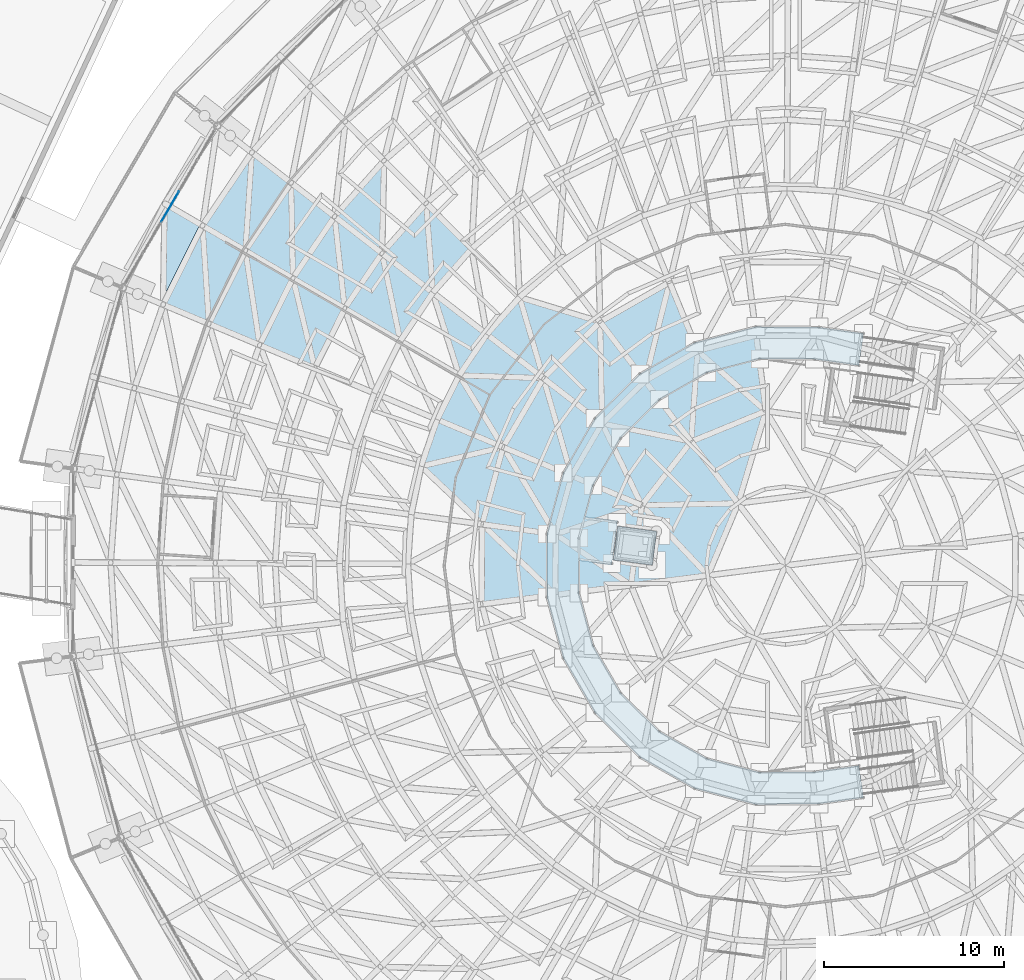
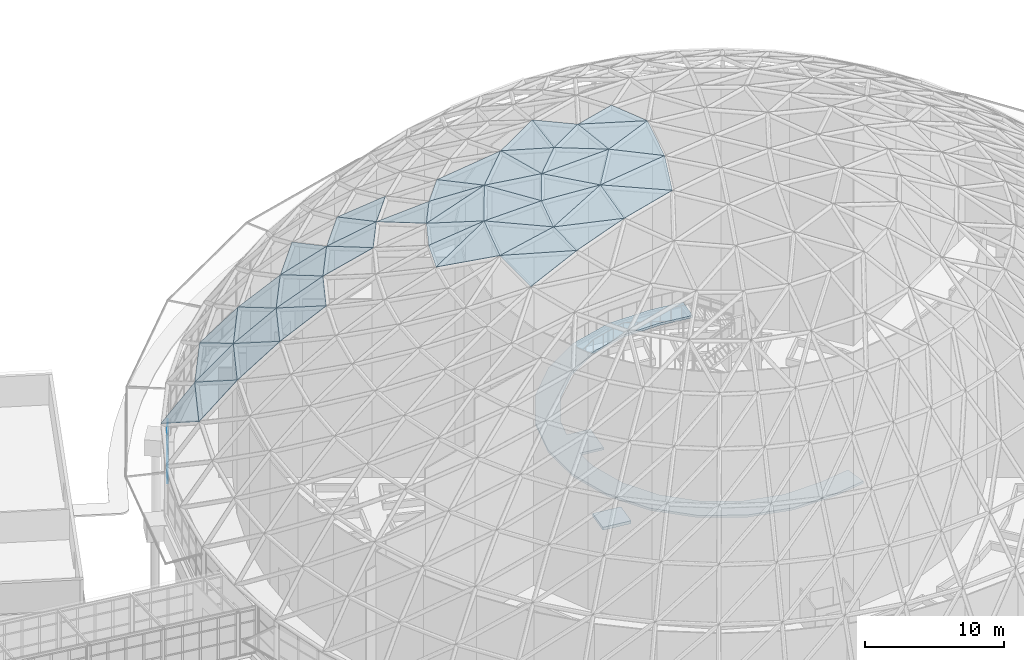
# One storey, part 140 of 226: 52 plates, 2 slabs, 1 element without a shape of its own.
"""IFC4 building model written with IfcOpenShell, lengths in metres."""

from ifc_helpers import new_model, si_unit, direction, frame, origin, origin_2d, place, context, subcontext, project, spatial, polyline, rectangle, outline, extrude, material, layer, layer_set, type_object, element, aggregate, save


model = new_model("IFC4")

# Units and contexts
model_context = context("Model", 3, precision=1e-05, world=origin(), true_north=direction((0.0, 1.0)))
body_context = subcontext(model_context, "Body", "Model", "MODEL_VIEW")
ifc_project = project(units=[si_unit("LENGTHUNIT", "METRE"), si_unit("AREAUNIT", "SQUARE_METRE"), si_unit("VOLUMEUNIT", "CUBIC_METRE"), si_unit("PLANEANGLEUNIT", "RADIAN"), si_unit("MASSUNIT", "GRAM", prefix="KILO")], contexts=[model_context])

# Site, building, storey
site_placement = place(None, origin())
site = spatial("IfcSite", under=ifc_project, at=site_placement, CompositionType="ELEMENT")
building_placement = place(site_placement, origin())
building = spatial("IfcBuilding", under=site, at=building_placement, Name="Ceibo Conservatory and Research Tower", CompositionType="ELEMENT")
storey_placement = place(building_placement, origin())
storey = spatial("IfcBuildingStorey", under=building, at=storey_placement, Name="L00", CompositionType="ELEMENT", Elevation=0.0)

# Curtain wall, plates
ifc_material_1 = material(Name="Aluminium and glass", Category="aluminium")
curtain_wall_type = type_object("IfcCurtainWallType", Name="Drum curtain wall", PredefinedType="NOTDEFINED", material=ifc_material_1)
curtain_wall_placement = place(storey_placement, origin())
curtain_wall = element("IfcCurtainWall", 1, at=curtain_wall_placement, inside=storey, type_object=curtain_wall_type, Name="Drum curtain wall A-CW10", PredefinedType="NOTDEFINED")
ifc_material_2 = material(Name="Laminated glass", Category="glass")
ifc_layer_1 = layer(ifc_material_2, 0.028076171875)
ifc_layer_set_1 = layer_set([ifc_layer_1], Name="Laminated glass")
plate_type_1 = type_object("IfcPlateType", Name="Drum glass 28", PredefinedType="CURTAIN_PANEL", material=ifc_layer_set_1)
plate_1_placement = place(storey_placement, frame((121.7421875, 127.978515625, 0.06005859375), z_axis=(0.0, 0.0, 1.0), x_axis=(-0.503773971965, -0.863835508167, 0.0)))
plate_1 = element("IfcPlate", 2, at=plate_1_placement, type_object=plate_type_1, Name="A-CW10 panel 3.1", PredefinedType="CURTAIN_PANEL", context=body_context, shape_type="SweptSolid", body=[
    extrude(rectangle(XDim=1.947021484375, YDim=0.028076171875, at=origin_2d()), origin(), (0.0, 0.0, 1.0), 1.43994140625),
])
plate_2_placement = place(storey_placement, frame((121.7421875, 127.978515625, 1.56005859375), z_axis=(0.0, 0.0, 1.0), x_axis=(-0.503773971965, -0.863835508167, 0.0)))
plate_2 = element("IfcPlate", 3, at=plate_2_placement, type_object=plate_type_1, Name="A-CW10 panel 3.2", PredefinedType="CURTAIN_PANEL", context=body_context, shape_type="SweptSolid", body=[
    extrude(rectangle(XDim=1.947021484375, YDim=0.028076171875, at=origin_2d()), origin(), (0.0, 0.0, 1.0), 1.425048828125),
])
plate_3_placement = place(storey_placement, frame((121.7421875, 127.978515625, 3.044921875), z_axis=(0.0, 0.0, 1.0), x_axis=(-0.503773971965, -0.863835508167, 0.0)))
plate_3 = element("IfcPlate", 4, at=plate_3_placement, type_object=plate_type_1, Name="A-CW10 panel 3.3", PredefinedType="CURTAIN_PANEL", context=body_context, shape_type="SweptSolid", body=[
    extrude(rectangle(XDim=1.947021484375, YDim=0.028076171875, at=origin_2d()), origin(), (0.0, 0.0, 1.0), 1.233154296875),
])
aggregate(curtain_wall, [plate_1, plate_2, plate_3])

# Plates
ifc_layer_2 = layer(ifc_material_2, 0.035888671875)
ifc_layer_set_2 = layer_set([ifc_layer_2], Name="Laminated glass")
plate_type_2 = type_object("IfcPlateType", Name="Gridshell roof glass 36", PredefinedType="SHEET", material=ifc_layer_set_2)
plate_4_placement = place(storey_placement, frame((121.30224609375, 128.2353515625, 4.601806640625), z_axis=(-0.742846401321, 0.370334705795, 0.557701918347), x_axis=(-0.013307511619, -0.841063821774, 0.540772186635)))
element("IfcPlate", 5, at=plate_4_placement, inside=storey, type_object=plate_type_2, Name="Glass panel A-P01-040", PredefinedType="SHEET", context=body_context, shape_type="SweptSolid", body=[
    extrude(outline(polyline([(0.0, 0.0), (6.714663966392372, 4.440892098500626e-16), (2.971836881057083, 3.2142073356224734), (0.0, 0.0)])), origin(), (0.0, 0.0, -1.0), 0.035888671875),
])
plate_5_placement = place(storey_placement, frame((126.173583984375, 131.09423828125, 8.23291015625), z_axis=(-0.642202144177, 0.433180810147, 0.632400815728), x_axis=(-0.559201770975, -0.829031591279, 0.0)))
element("IfcPlate", 6, at=plate_5_placement, inside=storey, type_object=plate_type_2, Name="Glass panel A-P02-037", PredefinedType="SHEET", context=body_context, shape_type="SweptSolid", body=[
    extrude(outline(polyline([(0.0, 0.0), (4.934750974704819, 0.0), (4.753120369519789, 4.372613297180889), (0.0, 0.0)])), origin(), (0.0, 0.0, -1.0), 0.035888671875),
])
plate_6_placement = place(storey_placement, frame((126.173583984375, 131.09423828125, 8.23291015625), z_axis=(-0.642149374648, 0.433201588051, 0.632440166932), x_axis=(-0.056588979811, -0.849552927366, 0.524459255775)))
element("IfcPlate", 7, at=plate_6_placement, inside=storey, type_object=plate_type_2, Name="Glass panel A-P02-038", PredefinedType="SHEET", context=body_context, shape_type="SweptSolid", body=[
    extrude(outline(polyline([(0.0, 0.0), (6.458475074955934, 0.0), (3.094166020248231, 3.095219123047945), (0.0, 0.0)])), origin(), (0.0, 0.0, -1.0), 0.035888671875),
])
plate_7_placement = place(storey_placement, frame((123.4140625, 127.003173828125, 8.23291015625), z_axis=(-0.693219451542, 0.345593949411, 0.632464713746), x_axis=(-0.446164188403, -0.894951125474, 0.0)))
element("IfcPlate", 8, at=plate_7_placement, inside=storey, type_object=plate_type_2, Name="Glass panel A-P02-039", PredefinedType="SHEET", context=body_context, shape_type="SweptSolid", body=[
    extrude(outline(polyline([(0.0, 0.0), (4.933546735066851, 0.0), (4.753144774618089, 4.372907797213506), (0.0, 0.0)])), origin(), (0.0, 0.0, -1.0), 0.035888671875),
])
plate_8_placement = place(storey_placement, frame((123.4140625, 127.003173828125, 8.23291015625), z_axis=(-0.693295675736, 0.345551701873, 0.632404243612), x_axis=(0.05488606116, -0.849675539093, 0.524441606432)))
element("IfcPlate", 9, at=plate_8_placement, inside=storey, type_object=plate_type_2, Name="Glass panel A-P02-040", PredefinedType="SHEET", context=body_context, shape_type="SweptSolid", body=[
    extrude(outline(polyline([(0.0, 0.0), (6.458692425825054, 8.881784197001252e-16), (3.0937281788018547, 3.0954131677548906), (0.0, 0.0)])), origin(), (0.0, 0.0, -1.0), 0.035888671875),
])
plate_9_placement = place(storey_placement, frame((128.36474609375, 129.397216796875, 11.6201171875), z_axis=(-0.590588353346, 0.398417911244, 0.701761045436), x_axis=(-0.559251787765, -0.828997851554, 0.0)))
element("IfcPlate", 10, at=plate_9_placement, inside=storey, type_object=plate_type_2, Name="Glass panel A-P03-037", PredefinedType="SHEET", context=body_context, shape_type="SweptSolid", body=[
    extrude(outline(polyline([(0.0, 0.0), (4.571537688269663, 2.220446049250313e-16), (4.370744027312472, 4.372453668072071), (0.0, 0.0)])), origin(), (0.0, 0.0, -1.0), 0.035888671875),
])
plate_10_placement = place(storey_placement, frame((128.36474609375, 129.397216796875, 11.6201171875), z_axis=(-0.590700895969, 0.398374823994, 0.701690780265), x_axis=(0.016072341527, -0.863641545915, 0.503850136457)))
element("IfcPlate", 11, at=plate_10_placement, inside=storey, type_object=plate_type_2, Name="Glass panel A-P03-038", PredefinedType="SHEET", context=body_context, shape_type="SweptSolid", body=[
    extrude(outline(polyline([(0.0, 0.0), (6.182374497854732, 4.440892098500626e-16), (3.2337942636454544, 2.949160394901064), (0.0, 0.0)])), origin(), (0.0, 0.0, -1.0), 0.035888671875),
])
plate_11_placement = place(storey_placement, frame((125.80810546875, 125.607421875, 11.6201171875), z_axis=(-0.637593518842, 0.317788691391, 0.701772650047), x_axis=(-0.446081214125, -0.894992486228, 0.0)))
element("IfcPlate", 12, at=plate_11_placement, inside=storey, type_object=plate_type_2, Name="Glass panel A-P03-039", PredefinedType="SHEET", context=body_context, shape_type="SweptSolid", body=[
    extrude(outline(polyline([(0.0, 0.0), (4.572151251091194, 0.0), (4.371207409454124, 4.3725238291334065), (0.0, 0.0)])), origin(), (0.0, 0.0, -1.0), 0.035888671875),
])
plate_12_placement = place(storey_placement, frame((125.80810546875, 125.607421875, 11.6201171875), z_axis=(-0.637627010113, 0.317770540175, 0.701750439808), x_axis=(0.128807811568, -0.85415137095, 0.503819395402)))
element("IfcPlate", 13, at=plate_12_placement, inside=storey, type_object=plate_type_2, Name="Glass panel A-P03-040", PredefinedType="SHEET", context=body_context, shape_type="SweptSolid", body=[
    extrude(outline(polyline([(0.0, 0.0), (6.182751721750283, -2.220446049250313e-16), (3.235066064309141, 2.948392228532843), (0.0, 0.0)])), origin(), (0.0, 0.0, -1.0), 0.035888671875),
])
plate_13_placement = place(storey_placement, frame((133.558349609375, 130.637451171875, 14.735107421875), z_axis=(-0.482303274348, 0.42674863538, 0.765028858119), x_axis=(-0.662657277827, -0.748922781162, 0.0)))
element("IfcPlate", 14, at=plate_13_placement, inside=storey, type_object=plate_type_2, Name="Glass panel A-P04-035", PredefinedType="SHEET", context=body_context, shape_type="SweptSolid", body=[
    extrude(outline(polyline([(0.0, 0.0), (4.168747955104435, -2.220446049250313e-16), (3.949765794562444, 4.372191495188925), (0.0, 0.0)])), origin(), (0.0, 0.0, -1.0), 0.035888671875),
])
plate_14_placement = place(storey_placement, frame((130.7958984375, 127.515380859375, 14.735107421875), z_axis=(-0.533905731117, 0.360071574488, 0.765044529113), x_axis=(-0.559136989242, -0.829075284435, 0.0)))
element("IfcPlate", 15, at=plate_14_placement, inside=storey, type_object=plate_type_2, Name="Glass panel A-P04-037", PredefinedType="SHEET", context=body_context, shape_type="SweptSolid", body=[
    extrude(outline(polyline([(0.0, 0.0), (4.1703324127007715, 2.220446049250313e-16), (3.950406732332311, 4.372317890358894), (0.0, 0.0)])), origin(), (0.0, 0.0, -1.0), 0.035888671875),
])
plate_15_placement = place(storey_placement, frame((130.7958984375, 127.515380859375, 14.735107421875), z_axis=(-0.533949457645, 0.360054480753, 0.765022056917), x_axis=(0.095789968466, -0.873213397661, 0.477831187855)))
element("IfcPlate", 16, at=plate_15_placement, inside=storey, type_object=plate_type_2, Name="Glass panel A-P04-038", PredefinedType="SHEET", context=body_context, shape_type="SweptSolid", body=[
    extrude(outline(polyline([(0.0, 0.0), (5.892612076592934, 0.0), (3.39153618929774, 2.7679403775951843), (0.0, 0.0)])), origin(), (0.0, 0.0, -1.0), 0.035888671875),
])
plate_16_placement = place(storey_placement, frame((128.464111328125, 124.057861328125, 14.735107421875), z_axis=(-0.576457175766, 0.287285678344, 0.764960171203), x_axis=(-0.446042037011, -0.895012011774, 0.0)))
element("IfcPlate", 17, at=plate_16_placement, inside=storey, type_object=plate_type_2, Name="Glass panel A-P04-039", PredefinedType="SHEET", context=body_context, shape_type="SweptSolid", body=[
    extrude(outline(polyline([(0.0, 0.0), (4.169156685512921, 2.220446049250313e-16), (3.949928547307043, 4.371637657318493), (0.0, 0.0)])), origin(), (0.0, 0.0, -1.0), 0.035888671875),
])
plate_17_placement = place(storey_placement, frame((128.464111328125, 124.057861328125, 14.735107421875), z_axis=(-0.576281704311, 0.287382364975, 0.765056059107), x_axis=(0.208969064915, -0.853197114139, 0.47789812129)))
element("IfcPlate", 18, at=plate_17_placement, inside=storey, type_object=plate_type_2, Name="Glass panel A-P04-040", PredefinedType="SHEET", context=body_context, shape_type="SweptSolid", body=[
    extrude(outline(polyline([(0.0, 0.0), (5.891786769369395, -2.220446049250313e-16), (3.391016576437981, 2.7688513173445806), (0.0, 0.0)])), origin(), (0.0, 0.0, -1.0), 0.035888671875),
])
plate_18_placement = place(storey_placement, frame((135.918212890625, 128.257568359375, 17.55078125), z_axis=(-0.426937098968, 0.377667953538, 0.821639598848), x_axis=(-0.662566823094, -0.749002807027, 0.0)))
element("IfcPlate", 19, at=plate_18_placement, inside=storey, type_object=plate_type_2, Name="Glass panel A-P05-035", PredefinedType="SHEET", context=body_context, shape_type="SweptSolid", body=[
    extrude(outline(polyline([(0.0, 0.0), (3.7311979449936565, 2.220446049250313e-16), (3.496059137238818, 4.370917523003129), (0.0, 0.0)])), origin(), (0.0, 0.0, -1.0), 0.035888671875),
])
plate_19_placement = place(storey_placement, frame((135.918212890625, 128.257568359375, 17.55078125), z_axis=(-0.426993370049, 0.37765267275, 0.821617380962), x_axis=(0.066737457428, -0.89297335194, 0.44513447912)))
element("IfcPlate", 20, at=plate_19_placement, inside=storey, type_object=plate_type_2, Name="Glass panel A-P05-036", PredefinedType="SHEET", context=body_context, shape_type="SweptSolid", body=[
    extrude(outline(polyline([(0.0, 0.0), (5.597084016161167, -2.220446049250313e-16), (3.5602645851353354, 2.5461491379345937), (0.0, 0.0)])), origin(), (0.0, 0.0, -1.0), 0.035888671875),
])
plate_20_placement = place(storey_placement, frame((133.446044921875, 125.462890625, 17.55078125), z_axis=(-0.472702739811, 0.318754400995, 0.821552038292), x_axis=(-0.55908726835, -0.829108814553, 0.0)))
element("IfcPlate", 21, at=plate_20_placement, inside=storey, type_object=plate_type_2, Name="Glass panel A-P05-037", PredefinedType="SHEET", context=body_context, shape_type="SweptSolid", body=[
    extrude(outline(polyline([(0.0, 0.0), (3.7305327404984956, 0.0), (3.4956994673408075, 4.369950060293001), (0.0, 0.0)])), origin(), (0.0, 0.0, -1.0), 0.035888671875),
])
plate_21_placement = place(storey_placement, frame((133.446044921875, 125.462890625, 17.55078125), z_axis=(-0.472484247796, 0.318845757751, 0.821642269086), x_axis=(0.182665801842, -0.876595165131, 0.445212445138)))
element("IfcPlate", 22, at=plate_21_placement, inside=storey, type_object=plate_type_2, Name="Glass panel A-P05-038", PredefinedType="SHEET", context=body_context, shape_type="SweptSolid", body=[
    extrude(outline(polyline([(0.0, 0.0), (5.596103849592286, -2.220446049250313e-16), (3.560502186087077, 2.5461803617727696), (0.0, 0.0)])), origin(), (0.0, 0.0, -1.0), 0.035888671875),
])
plate_22_placement = place(storey_placement, frame((136.291748046875, 123.259521484375, 20.042236328125), z_axis=(-0.407058364757, 0.274584262684, 0.871152667658), x_axis=(0.277400353092, -0.871533945163, 0.40432366556)))
element("IfcPlate", 23, at=plate_22_placement, inside=storey, type_object=plate_type_2, Name="Glass panel A-P06-038", PredefinedType="SHEET", context=body_context, shape_type="SweptSolid", body=[
    extrude(outline(polyline([(0.0, 0.0), (5.307015482636089, -3.3306690738754696e-16), (3.740020681835353, 2.274169122930282), (0.0, 0.0)])), origin(), (0.0, 0.0, -1.0), 0.035888671875),
])
plate_23_placement = place(storey_placement, frame((145.641845703125, 121.621826171875, 23.970458984375), z_axis=(-0.278177914319, 0.280574696783, 0.918637516929), x_axis=(-0.894701250833, 0.272270859832, -0.354087913722)))
element("IfcPlate", 24, at=plate_23_placement, inside=storey, type_object=plate_type_2, Name="Glass panel A-P07-027", PredefinedType="SHEET", context=body_context, shape_type="SweptSolid", body=[
    extrude(outline(polyline([(0.0, 0.0), (5.033977817517217, 2.7755575615628914e-16), (1.9819537514928032, 4.0035523826701045), (0.0, 0.0)])), origin(), (0.0, 0.0, -1.0), 0.035888671875),
])
plate_24_placement = place(storey_placement, frame((142.469482421875, 118.4765625, 23.970458984375), z_axis=(-0.305578990472, 0.270271327109, 0.913003225802), x_axis=(-0.264498828371, 0.897036088813, -0.354071497239)))
element("IfcPlate", 25, at=plate_24_placement, inside=storey, type_object=plate_type_2, Name="Glass panel A-P07-028", PredefinedType="SHEET", context=body_context, shape_type="SweptSolid", body=[
    extrude(outline(polyline([(0.0, 0.0), (5.034211217298663, 5.551115123125783e-17), (3.662523580409443, 2.396871404146357), (0.0, 0.0)])), origin(), (0.0, 0.0, -1.0), 0.035888671875),
])
plate_25_placement = place(storey_placement, frame((142.469482421875, 118.4765625, 23.970458984375), z_axis=(-0.338199783118, 0.228135191726, 0.913003417844), x_axis=(-0.722196723253, 0.559105649822, -0.407225693271)))
element("IfcPlate", 26, at=plate_25_placement, inside=storey, type_object=plate_type_2, Name="Glass panel A-P07-029", PredefinedType="SHEET", context=body_context, shape_type="SweptSolid", body=[
    extrude(outline(polyline([(0.0, 0.0), (4.377107664322382, 1.6653345369377348e-16), (4.212391767660467, 2.7568435898347388), (0.0, 0.0)])), origin(), (0.0, 0.0, -1.0), 0.035888671875),
])
plate_26_placement = place(storey_placement, frame((142.469482421875, 118.4765625, 23.970458984375), z_axis=(-0.341309604163, 0.199028889129, 0.918637717165), x_axis=(-0.93469653795, 0.031327900981, -0.354063475333)))
element("IfcPlate", 27, at=plate_26_placement, inside=storey, type_object=plate_type_2, Name="Glass panel A-P07-030", PredefinedType="SHEET", context=body_context, shape_type="SweptSolid", body=[
    extrude(outline(polyline([(0.0, 0.0), (5.034325275850436, -1.1102230246251565e-16), (1.9824045867603157, 4.003083493377818), (0.0, 0.0)])), origin(), (0.0, 0.0, -1.0), 0.035888671875),
])
plate_27_placement = place(storey_placement, frame((140.21923828125, 114.61767578125, 23.970458984375), z_axis=(-0.365052889911, 0.182021530861, 0.913019468506), x_axis=(-0.487769506188, 0.7979301895, -0.354102134302)))
element("IfcPlate", 28, at=plate_27_placement, inside=storey, type_object=plate_type_2, Name="Glass panel A-P07-031", PredefinedType="SHEET", context=body_context, shape_type="SweptSolid", body=[
    extrude(outline(polyline([(0.0, 0.0), (5.033775655256227, -1.1102230246251565e-16), (3.662956153207764, 2.397061290041822), (0.0, 0.0)])), origin(), (0.0, 0.0, -1.0), 0.035888671875),
])
plate_28_placement = place(storey_placement, frame((140.21923828125, 114.61767578125, 23.970458984375), z_axis=(-0.385698859231, 0.132762062917, 0.913022795246), x_axis=(-0.842361622756, 0.353028937503, -0.407182349559)))
element("IfcPlate", 29, at=plate_28_placement, inside=storey, type_object=plate_type_2, Name="Glass panel A-P07-032", PredefinedType="SHEET", context=body_context, shape_type="SweptSolid", body=[
    extrude(outline(polyline([(0.0, 0.0), (4.377573598300728, 4.163336342344337e-17), (4.212886507408967, 2.756264055384131), (0.0, 0.0)])), origin(), (0.0, 0.0, -1.0), 0.035888671875),
])
plate_29_placement = place(storey_placement, frame((140.21923828125, 114.61767578125, 23.970458984375), z_axis=(-0.381182218069, 0.103921491762, 0.918640539155), x_axis=(-0.910964892399, -0.211629001354, -0.354056677104)))
element("IfcPlate", 30, at=plate_29_placement, inside=storey, type_object=plate_type_2, Name="Glass panel A-P07-033", PredefinedType="SHEET", context=body_context, shape_type="SweptSolid", body=[
    extrude(outline(polyline([(0.0, 0.0), (5.03442193973758, 0.0), (1.9825616252480445, 4.003347877980378), (0.0, 0.0)])), origin(), (0.0, 0.0, -1.0), 0.035888671875),
])
plate_30_placement = place(storey_placement, frame((149.52001953125, 123.838134765625, 23.970458984375), z_axis=(-0.160142106688, 0.280222225681, 0.946482968626), x_axis=(-0.868222960441, -0.496174254635, 0.0)))
element("IfcPlate", 31, at=plate_30_placement, inside=storey, type_object=plate_type_2, Name="Glass panel A-P08-015", PredefinedType="SHEET", context=body_context, shape_type="SweptSolid", body=[
    extrude(outline(polyline([(0.0, 0.0), (4.4667948267055895, 0.0), (3.9257333306844853, 4.343421019620243), (0.0, 0.0)])), origin(), (0.0, 0.0, -1.0), 0.035888671875),
])
plate_31_placement = place(storey_placement, frame((149.52001953125, 123.838134765625, 23.970458984375), z_axis=(-0.160166188226, 0.280226818783, 0.946477533903), x_axis=(-0.233772659519, -0.942346514413, 0.239443919186)))
element("IfcPlate", 32, at=plate_31_placement, inside=storey, type_object=plate_type_2, Name="Glass panel A-P08-016", PredefinedType="SHEET", context=body_context, shape_type="SweptSolid", body=[
    extrude(outline(polyline([(0.0, 0.0), (5.854629649886153, 0.0), (3.5844452227327084, 2.511450265825249), (0.0, 0.0)])), origin(), (0.0, 0.0, -1.0), 0.035888671875),
])
plate_32_placement = place(storey_placement, frame((145.641845703125, 121.621826171875, 23.970458984375), z_axis=(-0.227227756778, 0.229185552401, 0.946489053883), x_axis=(-0.710133399151, -0.704067152629, 0.0)))
element("IfcPlate", 33, at=plate_32_placement, inside=storey, type_object=plate_type_2, Name="Glass panel A-P08-017", PredefinedType="SHEET", context=body_context, shape_type="SweptSolid", body=[
    extrude(outline(polyline([(0.0, 0.0), (4.467277957978424, 0.0), (3.9262131880664084, 4.343661189431718), (0.0, 0.0)])), origin(), (0.0, 0.0, -1.0), 0.035888671875),
])
plate_33_placement = place(storey_placement, frame((145.641845703125, 121.621826171875, 23.970458984375), z_axis=(-0.227272957923, 0.229182227726, 0.946479006155), x_axis=(0.018179838866, -0.970745019789, 0.239423474233)))
element("IfcPlate", 34, at=plate_33_placement, inside=storey, type_object=plate_type_2, Name="Glass panel A-P08-018", PredefinedType="SHEET", context=body_context, shape_type="SweptSolid", body=[
    extrude(outline(polyline([(0.0, 0.0), (5.855129590941772, 0.0), (3.58547676276656, 2.5104601330864784), (0.0, 0.0)])), origin(), (0.0, 0.0, -1.0), 0.035888671875),
])
plate_34_placement = place(storey_placement, frame((142.469482421875, 118.4765625, 23.970458984375), z_axis=(-0.278796185961, 0.162575252815, 0.946489288828), x_axis=(-0.503741890232, -0.863854216882, 0.0)))
element("IfcPlate", 35, at=plate_34_placement, inside=storey, type_object=plate_type_2, Name="Glass panel A-P08-019", PredefinedType="SHEET", context=body_context, shape_type="SweptSolid", body=[
    extrude(outline(polyline([(0.0, 0.0), (4.467057801345566, 2.220446049250313e-16), (3.9261762398217486, 4.343670462943763), (0.0, 0.0)])), origin(), (0.0, 0.0, -1.0), 0.035888671875),
])
plate_35_placement = place(storey_placement, frame((142.469482421875, 118.4765625, 23.970458984375), z_axis=(-0.27880077906, 0.162573652914, 0.946488210689), x_axis=(0.268778897965, -0.93297049984, 0.239424206037)))
element("IfcPlate", 36, at=plate_35_placement, inside=storey, type_object=plate_type_2, Name="Glass panel A-P08-020", PredefinedType="SHEET", context=body_context, shape_type="SweptSolid", body=[
    extrude(outline(polyline([(0.0, 0.0), (5.8551116946469035, -3.3306690738754696e-16), (3.5853275507998097, 2.511089398506384), (0.0, 0.0)])), origin(), (0.0, 0.0, -1.0), 0.035888671875),
])
plate_36_placement = place(storey_placement, frame((140.21923828125, 114.61767578125, 23.970458984375), z_axis=(-0.311413154444, 0.084900391545, 0.94647438991), x_axis=(-0.263029544619, -0.964787779078, 0.0)))
element("IfcPlate", 37, at=plate_36_placement, inside=storey, type_object=plate_type_2, Name="Glass panel A-P08-021", PredefinedType="SHEET", context=body_context, shape_type="SweptSolid", body=[
    extrude(outline(polyline([(0.0, 0.0), (4.46736441652527, 0.0), (3.926429517737648, 4.343082509464306), (0.0, 0.0)])), origin(), (0.0, 0.0, -1.0), 0.035888671875),
])
plate_37_placement = place(storey_placement, frame((140.21923828125, 114.61767578125, 23.970458984375), z_axis=(-0.311356713111, 0.084938744478, 0.946489517579), x_axis=(0.500970611111, -0.831684604512, 0.239435096471)))
element("IfcPlate", 38, at=plate_37_placement, inside=storey, type_object=plate_type_2, Name="Glass panel A-P08-022", PredefinedType="SHEET", context=body_context, shape_type="SweptSolid", body=[
    extrude(outline(polyline([(0.0, 0.0), (5.854845381543075, -7.216449660063518e-16), (3.58517460273353, 2.5112843371790854), (0.0, 0.0)])), origin(), (0.0, 0.0, -1.0), 0.035888671875),
])
plate_38_placement = place(storey_placement, frame((139.044189453125, 110.3076171875, 23.970458984375), z_axis=(-0.322756351752, 0.001446309681, 0.946480980048), x_axis=(-0.004481074196, -0.999989959937, 0.0)))
element("IfcPlate", 39, at=plate_38_placement, inside=storey, type_object=plate_type_2, Name="Glass panel A-P08-023", PredefinedType="SHEET", context=body_context, shape_type="SweptSolid", body=[
    extrude(outline(polyline([(0.0, 0.0), (4.467574151602624, 0.0), (3.9249775739560993, 4.343342544376458), (0.0, 0.0)])), origin(), (0.0, 0.0, -1.0), 0.035888671875),
])
plate_39_placement = place(storey_placement, frame((139.044189453125, 110.3076171875, 23.970458984375), z_axis=(-0.322778631304, 0.001420496105, 0.946473421373), x_axis=(0.699217028571, -0.673610488219, 0.239467027201)))
element("IfcPlate", 40, at=plate_39_placement, inside=storey, type_object=plate_type_2, Name="Glass panel A-P08-024", PredefinedType="SHEET", context=body_context, shape_type="SweptSolid", body=[
    extrude(outline(polyline([(0.0, 0.0), (5.85406469163511, 1.1102230246251565e-16), (3.58495757775191, 2.51058865895238), (0.0, 0.0)])), origin(), (0.0, 0.0, -1.0), 0.035888671875),
])
plate_40_placement = place(storey_placement, frame((154.9013671875, 116.637939453125, 26.382568359375), z_axis=(-0.059226529113, 0.225040671261, 0.972547641264), x_axis=(-0.122717221758, 0.965226729685, -0.230819938016)))
element("IfcPlate", 41, at=plate_40_placement, inside=storey, type_object=plate_type_2, Name="Glass panel A-P09-011", PredefinedType="SHEET", context=body_context, shape_type="SweptSolid", body=[
    extrude(outline(polyline([(0.0, 0.0), (4.376805205528819, -2.42861286636753e-17), (3.946929741051306, 3.3577530192227703), (0.0, 0.0)])), origin(), (0.0, 0.0, -1.0), 0.035888671875),
])
plate_41_placement = place(storey_placement, frame((154.9013671875, 116.637939453125, 26.382568359375), z_axis=(-0.081980678663, 0.200378975737, 0.976282456264), x_axis=(-0.735394994961, 0.648988792081, -0.194955762006)))
element("IfcPlate", 42, at=plate_41_placement, inside=storey, type_object=plate_type_2, Name="Glass panel A-P09-012", PredefinedType="SHEET", context=body_context, shape_type="SweptSolid", body=[
    extrude(outline(polyline([(0.0, 0.0), (5.1819648511828955, -5.551115123125783e-17), (1.9604909252094407, 4.059439169561636), (0.0, 0.0)])), origin(), (0.0, 0.0, -1.0), 0.035888671875),
])
plate_42_placement = place(storey_placement, frame((150.72900390625, 114.930908203125, 26.382568359375), z_axis=(-0.115468333273, 0.202023436168, 0.972550047684), x_axis=(0.069769697661, 0.978330392526, -0.194940586713)))
element("IfcPlate", 43, at=plate_42_placement, inside=storey, type_object=plate_type_2, Name="Glass panel A-P09-013", PredefinedType="SHEET", context=body_context, shape_type="SweptSolid", body=[
    extrude(outline(polyline([(0.0, 0.0), (5.182368245030267, 8.326672684688674e-17), (3.333772341437619, 2.836161659042764), (0.0, 0.0)])), origin(), (0.0, 0.0, -1.0), 0.035888671875),
])
plate_43_placement = place(storey_placement, frame((150.72900390625, 114.930908203125, 26.382568359375), z_axis=(-0.163855724092, 0.165232239754, 0.97254799811), x_axis=(-0.588909166563, 0.774539940036, -0.230811340333)))
element("IfcPlate", 44, at=plate_43_placement, inside=storey, type_object=plate_type_2, Name="Glass panel A-P09-014", PredefinedType="SHEET", context=body_context, shape_type="SweptSolid", body=[
    extrude(outline(polyline([(0.0, 0.0), (4.376968240775648, 4.163336342344337e-16), (3.9463892788109454, 3.35683419277356), (0.0, 0.0)])), origin(), (0.0, 0.0, -1.0), 0.035888671875),
])
plate_44_placement = place(storey_placement, frame((150.72900390625, 114.930908203125, 26.382568359375), z_axis=(-0.171224573506, 0.132529555833, 0.976277656335), x_axis=(-0.961349820756, 0.194381060272, -0.194993655129)))
element("IfcPlate", 45, at=plate_44_placement, inside=storey, type_object=plate_type_2, Name="Glass panel A-P09-015", PredefinedType="SHEET", context=body_context, shape_type="SweptSolid", body=[
    extrude(outline(polyline([(0.0, 0.0), (5.1809578397906, 1.3877787807814457e-16), (1.9591594010891797, 4.058707914424515), (0.0, 0.0)])), origin(), (0.0, 0.0, -1.0), 0.035888671875),
])
plate_45_placement = place(storey_placement, frame((147.970458984375, 111.366943359375, 26.382568359375), z_axis=(-0.201022068481, 0.117219514593, 0.972548051966), x_axis=(-0.428824616738, 0.882100999692, -0.194954544503)))
element("IfcPlate", 46, at=plate_45_placement, inside=storey, type_object=plate_type_2, Name="Glass panel A-P09-016", PredefinedType="SHEET", context=body_context, shape_type="SweptSolid", body=[
    extrude(outline(polyline([(0.0, 0.0), (5.18199721287373, -2.7755575615628914e-17), (3.3338496176575814, 2.8358139031409664), (0.0, 0.0)])), origin(), (0.0, 0.0, -1.0), 0.035888671875),
])
plate_46_placement = place(storey_placement, frame((147.970458984375, 111.366943359375, 26.382568359375), z_axis=(-0.224496978591, 0.061243232273, 0.972548391138), x_axis=(-0.897286716829, 0.376295921406, -0.230820119)))
element("IfcPlate", 47, at=plate_46_placement, inside=storey, type_object=plate_type_2, Name="Glass panel A-P09-017", PredefinedType="SHEET", context=body_context, shape_type="SweptSolid", body=[
    extrude(outline(polyline([(0.0, 0.0), (4.376801773715963, 1.942890293094024e-16), (3.947325451691779, 3.357603990223312), (0.0, 0.0)])), origin(), (0.0, 0.0, -1.0), 0.035888671875),
])
plate_47_placement = place(storey_placement, frame((147.970458984375, 111.366943359375, 26.382568359375), z_axis=(-0.214523847824, 0.029227129669, 0.976281359858), x_axis=(-0.929748641081, -0.312350316208, -0.194948055576)))
element("IfcPlate", 48, at=plate_47_placement, inside=storey, type_object=plate_type_2, Name="Glass panel A-P09-018", PredefinedType="SHEET", context=body_context, shape_type="SweptSolid", body=[
    extrude(outline(polyline([(0.0, 0.0), (5.182169697794277, -4.163336342344337e-16), (1.9604817498378337, 4.058082122644022), (0.0, 0.0)])), origin(), (0.0, 0.0, -1.0), 0.035888671875),
])
plate_48_placement = place(storey_placement, frame((147.362060546875, 106.9013671875, 26.382568359375), z_axis=(-0.232700869188, 0.001024078567, 0.972547817201), x_axis=(-0.812461035575, 0.549446623896, -0.194975570679)))
element("IfcPlate", 49, at=plate_48_placement, inside=storey, type_object=plate_type_2, Name="Glass panel A-P09-019", PredefinedType="SHEET", context=body_context, shape_type="SweptSolid", body=[
    extrude(outline(polyline([(0.0, 0.0), (5.1814383860208935, 1.6653345369377348e-16), (3.3341924068572713, 2.8354161601428967), (0.0, 0.0)])), origin(), (0.0, 0.0, -1.0), 0.035888671875),
])
plate_49_placement = place(storey_placement, frame((153.35400390625, 111.48046875, 26.9921875), z_axis=(-0.054551008795, 0.133334774072, 0.989568605738), x_axis=(0.285544493141, 0.951739889178, -0.11249678122)))
element("IfcPlate", 50, at=plate_49_placement, inside=storey, type_object=plate_type_2, Name="Glass panel A-P10-007", PredefinedType="SHEET", context=body_context, shape_type="SweptSolid", body=[
    extrude(outline(polyline([(0.0, 0.0), (5.418991850369385, -1.3877787807814457e-16), (2.602946759326176, 3.5202927554979393), (0.0, 0.0)])), origin(), (0.0, 0.0, -1.0), 0.035888671875),
])
plate_50_placement = place(storey_placement, frame((153.35400390625, 111.48046875, 26.9921875), z_axis=(-0.11391575899, 0.088171952379, 0.989570061525), x_axis=(-0.599574637257, 0.788112755613, -0.139242733373)))
element("IfcPlate", 51, at=plate_50_placement, inside=storey, type_object=plate_type_2, Name="Glass panel A-P10-008", PredefinedType="SHEET", context=body_context, shape_type="SweptSolid", body=[
    extrude(outline(polyline([(0.0, 0.0), (4.378103803737174, -3.157196726277789e-16), (3.2232512207107695, 4.3563437657014115), (0.0, 0.0)])), origin(), (0.0, 0.0, -1.0), 0.035888671875),
])
plate_51_placement = place(storey_placement, frame((153.35400390625, 111.48046875, 26.9921875), z_axis=(-0.113381222488, 0.047559145463, 0.992412628935), x_axis=(-0.993431581636, -0.020948967641, -0.112493703657)))
element("IfcPlate", 52, at=plate_51_placement, inside=storey, type_object=plate_type_2, Name="Glass panel A-P10-009", PredefinedType="SHEET", context=body_context, shape_type="SweptSolid", body=[
    extrude(outline(polyline([(0.0, 0.0), (5.419140101231839, -2.42861286636753e-17), (1.7645146039122093, 4.000178878658171), (0.0, 0.0)])), origin(), (0.0, 0.0, -1.0), 0.035888671875),
])
plate_52_placement = place(storey_placement, frame((151.662841796875, 107.44873046875, 26.9921875), z_axis=(-0.142742651212, 0.019447525385, 0.989568759249), x_axis=(-0.681468159821, 0.723147480624, -0.112511636807)))
element("IfcPlate", 53, at=plate_52_placement, inside=storey, type_object=plate_type_2, Name="Glass panel A-P10-010", PredefinedType="SHEET", context=body_context, shape_type="SweptSolid", body=[
    extrude(outline(polyline([(0.0, 0.0), (5.41827634833456, 6.245004513516506e-16), (2.6036103537476896, 3.5198259253103026), (0.0, 0.0)])), origin(), (0.0, 0.0, -1.0), 0.035888671875),
])

# Slabs
ifc_material_3 = material(Name="Concrete C35/45", Category="concrete")
ifc_layer_3 = layer(ifc_material_3, 0.25)
ifc_layer_set_3 = layer_set([ifc_layer_3], Name="Concrete C35/45")
slab_type_1 = type_object("IfcSlabType", Name="RC lift pit slab 250", PredefinedType="BASESLAB", material=ifc_layer_set_3)
slab_1_placement = place(storey_placement, frame((0.0, 0.0, -1.449951171875)))
element("IfcSlab", 54, at=slab_1_placement, inside=storey, type_object=slab_type_1, Name="Lift pit slab", PredefinedType="BASESLAB", context=body_context, shape_type="SweptSolid", body=[
    extrude(outline(polyline([(148.838134765625, 109.906005859375), (146.6572265625, 110.194580078125), (146.407958984375, 108.31103515625), (148.5888671875, 108.0224609375), (148.838134765625, 109.906005859375)])), origin(), (0.0, 0.0, 1.0), 0.25),
])
ifc_material_4 = material(Name="Steel S275", Category="steel")
ifc_layer_4 = layer(ifc_material_4, 0.199951171875)
ifc_layer_set_4 = layer_set([ifc_layer_4], Name="Steel S275")
slab_type_2 = type_object("IfcSlabType", Name="Steel grating deck 200", PredefinedType="FLOOR", material=ifc_layer_set_4)
slab_2_placement = place(storey_placement, frame((0.0, 0.0, 5.800048828125)))
element("IfcSlab", 55, at=slab_2_placement, inside=storey, type_object=slab_type_2, Name="Canopy walkway deck", PredefinedType="FLOOR", context=body_context, shape_type="SweptSolid", body=[
    extrude(outline(polyline([(146.319091796875, 108.020263671875), (146.64697265625, 110.49853515625), (144.828369140625, 110.739501953125), (145.2919921875, 112.460693359375), (146.82080078125, 115.092529296875), (148.981689453125, 117.23583984375), (151.625732421875, 118.74365234375), (154.57080078125, 119.51171875), (157.6142578125, 119.487060546875), (160.092041015625, 119.138916015625), (160.342529296875, 120.92138671875), (157.864990234375, 121.26953125), (154.34912109375, 121.2978515625), (150.947021484375, 120.41064453125), (147.892578125, 118.669189453125), (145.396484375, 116.193115234375), (143.63037109375, 113.15283203125), (142.7158203125, 109.758056640625), (142.7158203125, 106.241943359375), (143.63037109375, 102.84716796875), (145.396484375, 99.806884765625), (147.892578125, 97.330810546875), (150.947021484375, 95.58935546875), (154.34912109375, 94.7021484375), (157.864990234375, 94.73046875), (160.342529296875, 95.07861328125), (160.092041015625, 96.861083984375), (157.6142578125, 96.512939453125), (154.57080078125, 96.48828125), (151.625732421875, 97.25634765625), (148.981689453125, 98.76416015625), (146.82080078125, 100.907470703125), (145.2919921875, 103.539306640625), (144.500244140625, 106.478271484375), (144.500244140625, 108.260498046875), (146.319091796875, 108.020263671875)])), origin(), (0.0, 0.0, 1.0), 0.199951171875),
])

save(model, "model.ifc")
